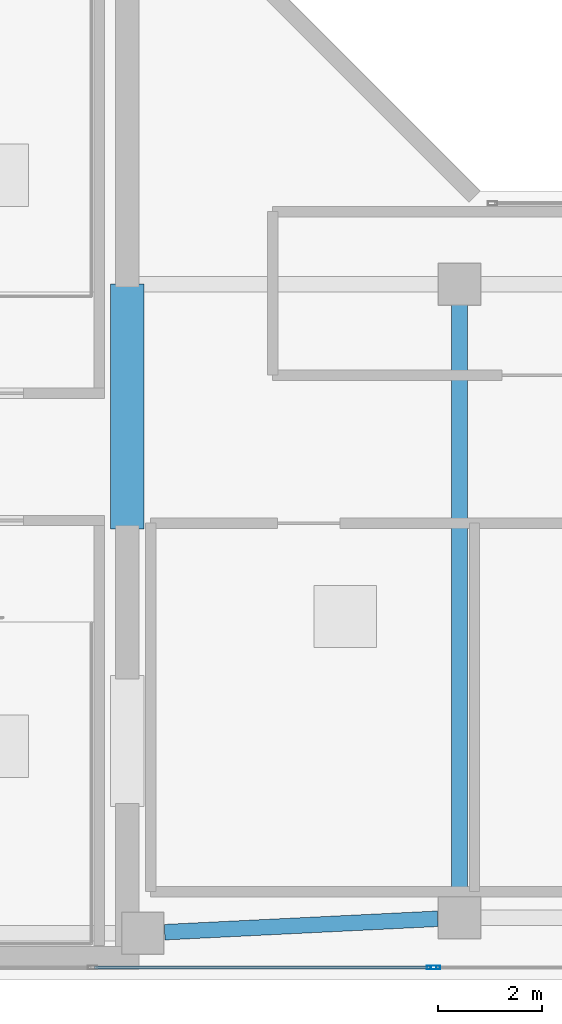
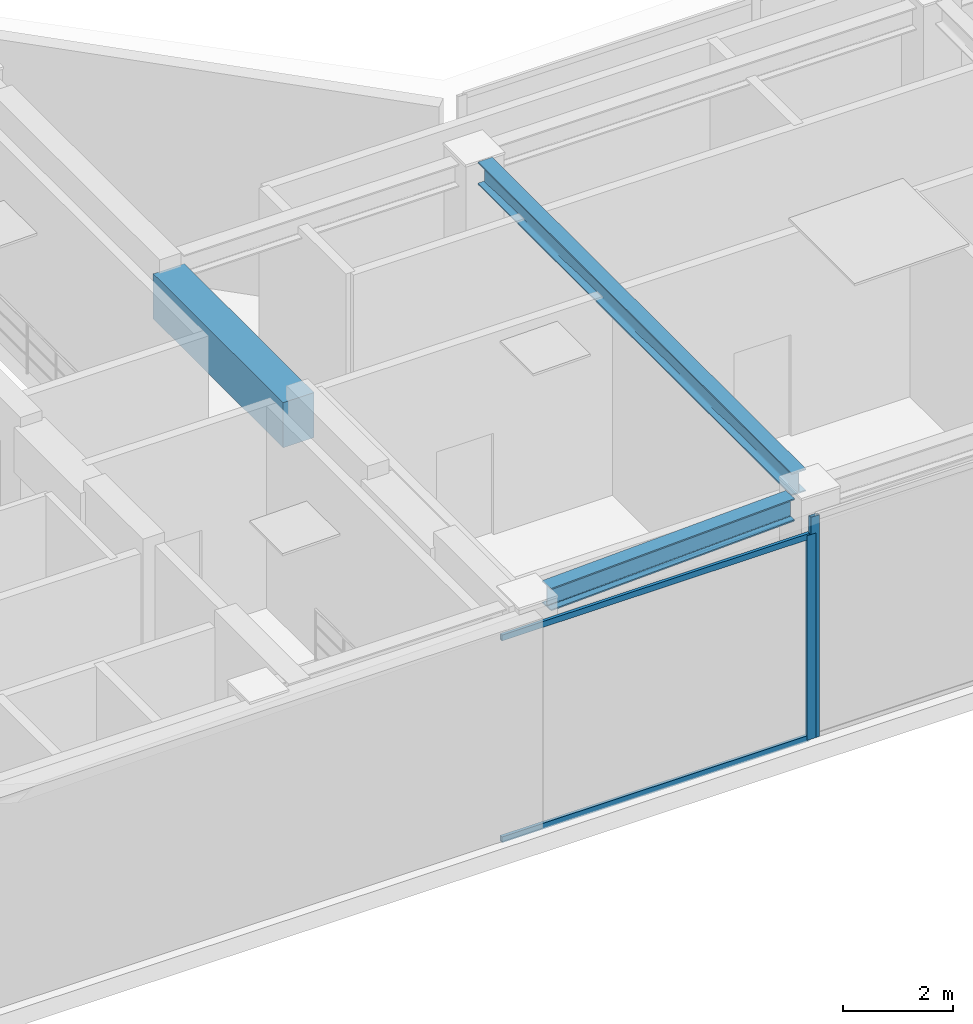
# One storey, part 5 of 22: 4 members, 3 beams, 2 elements without a shape of their own.
"""IFC4 building model written with IfcOpenShell, lengths in metres."""

from ifc_helpers import new_model, si_unit, direction, frame, origin, origin_with_axes, origin_2d, place, context, subcontext, project, spatial, rectangle, hollow_rectangle, i_section, extrude, source, transform, mapped, material, layer, layer_set, material_profile, profile_set, type_object, element, aggregate, save


model = new_model("IFC4")

# Units and contexts
model_context = context("Model", 3, precision=1e-05, world=origin(), true_north=direction((0.0, 1.0)))
body_context = subcontext(model_context, "Body", "Model", "MODEL_VIEW")
ifc_project = project(units=[si_unit("LENGTHUNIT", "METRE"), si_unit("AREAUNIT", "SQUARE_METRE"), si_unit("VOLUMEUNIT", "CUBIC_METRE"), si_unit("PLANEANGLEUNIT", "RADIAN"), si_unit("MASSUNIT", "GRAM", prefix="KILO")], contexts=[model_context])

# Site, building, storey
site_placement = place(None, origin())
site = spatial("IfcSite", under=ifc_project, at=site_placement, CompositionType="ELEMENT")
building_placement = place(site_placement, origin())
building = spatial("IfcBuilding", under=site, at=building_placement, Name="Kolvaren Waterfront Exchange", CompositionType="ELEMENT")
storey_placement = place(building_placement, frame((0.0, 0.0, 360.39990234375)))
storey = spatial("IfcBuildingStorey", under=building, at=storey_placement, Name="RF", CompositionType="ELEMENT", Elevation=360.39990234375)

# Beams
ifc_material_1 = material(Name="Steel S355", Category="steel")
ifc_material_profile_1 = material_profile(ifc_material_1, i_section(OverallWidth=0.300048828125, OverallDepth=0.5, WebThickness=0.014404296875, FlangeThickness=0.028076171875, FilletRadius=0.027099609375, at=origin_2d()), Name="HEB500")
ifc_profile_set_1 = profile_set([ifc_material_profile_1], Name="Steel S355")
beam_type_1 = type_object("IfcBeamType", Name="STR-BM-HEB500", PredefinedType="BEAM", material=ifc_profile_set_1)
beam_1_placement = place(storey_placement, frame((21.520751953125, 4.920654296875, 4.542724609375), z_axis=(0.998793508298, 0.049107308848, 0.0), x_axis=(-0.049107308848, 0.998793508298, 0.0)))
element("IfcBeam", 1, at=beam_1_placement, inside=storey, type_object=beam_type_1, Name="RF crown roof girder 3", PredefinedType="SPANDREL", context=body_context, shape_type="SweptSolid", body=[
    extrude(i_section(OverallWidth=0.300048828125, OverallDepth=0.5, WebThickness=0.014404296875, FlangeThickness=0.028076171875, FilletRadius=0.027099609375, at=origin_2d()), origin(), (0.0, 0.0, 1.0), 5.264892578125),
])
beam_2_placement = place(storey_placement, frame((27.199951171875, 5.60205078125, 4.65966796875), z_axis=(0.0, 1.0, 0.0), x_axis=(-1.0, 0.0, 0.0)))
element("IfcBeam", 2, at=beam_2_placement, inside=storey, type_object=beam_type_1, Name="RF crown roof girder 6", PredefinedType="BEAM", context=body_context, shape_type="SweptSolid", body=[
    extrude(i_section(OverallWidth=0.300048828125, OverallDepth=0.5, WebThickness=0.014404296875, FlangeThickness=0.028076171875, FilletRadius=0.027099609375, at=origin_2d()), origin(), (0.0, 0.0, 1.0), 11.39599609375),
])
ifc_material_2 = material(Name="Concrete C60/75", Category="concrete")
ifc_material_profile_2 = material_profile(ifc_material_2, rectangle(XDim=0.64990234375, YDim=1.0, at=origin_2d()), Name="RC-CB-1000x650")
ifc_profile_set_2 = profile_set([ifc_material_profile_2], Name="Concrete C60/75")
beam_type_2 = type_object("IfcBeamType", Name="STR-CB-1000", PredefinedType="SPANDREL", material=ifc_profile_set_2)
beam_3_placement = place(storey_placement, frame((20.800048828125, 12.68994140625, 3.97998046875), z_axis=(0.0, 1.0, 0.0), x_axis=(-1.0, 0.0, 0.0)))
element("IfcBeam", 3, at=beam_3_placement, inside=storey, type_object=beam_type_2, Name="RF core coupling beam 2", PredefinedType="SPANDREL", context=body_context, shape_type="SweptSolid", body=[
    extrude(rectangle(XDim=0.64990234375, YDim=1.0, at=origin_2d()), origin(), (0.0, 0.0, 1.0), 4.719970703125),
])

# Curtain wall, members
ifc_material_3 = material(Name="Anodised bronze aluminium 6063-T6", Category="aluminium")
ifc_layer = layer(ifc_material_3, 0.219970703125, Name="Anodised bronze aluminium 6063-T6")
ifc_layer_set = layer_set([ifc_layer], Name="Anodised bronze aluminium 6063-T6")
curtain_wall_type = type_object("IfcCurtainWallType", Name="ARC-CW-SYS5", PredefinedType="USERDEFINED", material=ifc_layer_set)
curtain_wall_1_placement = place(storey_placement, origin())
curtain_wall_1 = element("IfcCurtainWall", 4, at=curtain_wall_1_placement, inside=storey, type_object=curtain_wall_type, Name="RF stick curtain wall CW5 (CW-RF-S1)", ObjectType="STICK CURTAIN WALL", PredefinedType="USERDEFINED")
ifc_material_profile_3 = material_profile(ifc_material_3, hollow_rectangle(XDim=0.074951171875, YDim=0.179931640625, WallThickness=0.00439453125, at=origin_2d()), Name="ALU-MUL-180x75x4.5")
ifc_profile_set_3 = profile_set([ifc_material_profile_3], Name="Anodised bronze aluminium 6063-T6")
member_type_1 = type_object("IfcMemberType", Name="ARC-CWM-180", PredefinedType="MULLION", material=ifc_profile_set_3)
shared_shape_1 = source(origin_with_axes(), body_context, "Body", "SweptSolid", [
    extrude(hollow_rectangle(XDim=0.074951171875, YDim=0.179931640625, WallThickness=0.00439453125, at=origin_2d()), origin(), (0.0, 0.0, 1.0), 4.542236328125),
])
member_1_placement = place(storey_placement, frame((26.66259765625, 4.239990234375, 0.0), z_axis=(0.0, 0.0, 1.0), x_axis=(0.0, 1.0, 0.0)))
member_1 = element("IfcMember", 5, at=member_1_placement, type_object=member_type_1, Name="CW5 mullion 4", PredefinedType="MULLION", context=body_context, shape_type="MappedRepresentation", body=[
    mapped(shared_shape_1, transform((0.0, 0.0, 0.0), x_axis=(1.0, 0.0, 0.0), y_axis=(0.0, 1.0, 0.0), z_axis=(0.0, 0.0, 1.0), scale=1.0)),
])
ifc_material_profile_4 = material_profile(ifc_material_3, hollow_rectangle(XDim=0.06494140625, YDim=0.1298828125, WallThickness=0.00390625, at=origin_2d()), Name="ALU-TRN-130x65x4")
ifc_profile_set_4 = profile_set([ifc_material_profile_4], Name="Anodised bronze aluminium 6063-T6")
member_type_2 = type_object("IfcMemberType", Name="ARC-CWT-130", PredefinedType="USERDEFINED", material=ifc_profile_set_4)
shared_shape_2 = source(origin_with_axes(), body_context, "Body", "SweptSolid", [
    extrude(hollow_rectangle(XDim=0.06494140625, YDim=0.1298828125, WallThickness=0.00390625, at=origin_2d()), origin(), (0.0, 0.0, 1.0), 6.4541015625),
])
member_2_placement = place(storey_placement, frame((20.1708984375, 4.239990234375, 0.03271484375), z_axis=(1.0, 0.0, 0.0), x_axis=(0.0, 1.0, 0.0)))
member_2 = element("IfcMember", 6, at=member_2_placement, type_object=member_type_2, Name="CW5 transom 3.1", ObjectType="TRANSOM", PredefinedType="USERDEFINED", context=body_context, shape_type="MappedRepresentation", body=[
    mapped(shared_shape_2, transform((0.0, 0.0, 0.0), x_axis=(1.0, 0.0, 0.0), y_axis=(0.0, 1.0, 0.0), z_axis=(0.0, 0.0, 1.0), scale=1.0)),
])
member_3_placement = place(storey_placement, frame((20.1708984375, 4.239990234375, 4.509765625), z_axis=(1.0, 0.0, 0.0), x_axis=(0.0, 1.0, 0.0)))
member_3 = element("IfcMember", 7, at=member_3_placement, type_object=member_type_2, Name="CW5 transom 3.2", ObjectType="TRANSOM", PredefinedType="USERDEFINED", context=body_context, shape_type="MappedRepresentation", body=[
    mapped(shared_shape_2, transform((0.0, 0.0, 0.0), x_axis=(1.0, 0.0, 0.0), y_axis=(0.0, 1.0, 0.0), z_axis=(0.0, 0.0, 1.0), scale=1.0)),
])
aggregate(curtain_wall_1, [member_1, member_2, member_3])

# Curtain wall, member
curtain_wall_2_placement = place(storey_placement, origin())
curtain_wall_2 = element("IfcCurtainWall", 8, at=curtain_wall_2_placement, inside=storey, type_object=curtain_wall_type, Name="RF stick curtain wall CW5 (CW-RF-S2)", ObjectType="STICK CURTAIN WALL", PredefinedType="USERDEFINED")
shared_shape_3 = source(origin_with_axes(), body_context, "Body", "SweptSolid", [
    extrude(hollow_rectangle(XDim=0.074951171875, YDim=0.179931640625, WallThickness=0.00439453125, at=origin_2d()), origin(), (0.0, 0.0, 1.0), 4.920166015625),
])
member_4_placement = place(storey_placement, frame((26.737548828125, 4.239990234375, 0.0), z_axis=(0.0, 0.0, 1.0), x_axis=(0.0, 1.0, 0.0)))
member_4 = element("IfcMember", 9, at=member_4_placement, type_object=member_type_1, Name="CW5 mullion 1", PredefinedType="MULLION", context=body_context, shape_type="MappedRepresentation", body=[
    mapped(shared_shape_3, transform((0.0, 0.0, 0.0), x_axis=(1.0, 0.0, 0.0), y_axis=(0.0, 1.0, 0.0), z_axis=(0.0, 0.0, 1.0), scale=1.0)),
])
aggregate(curtain_wall_2, [member_4])

save(model, "model.ifc")
